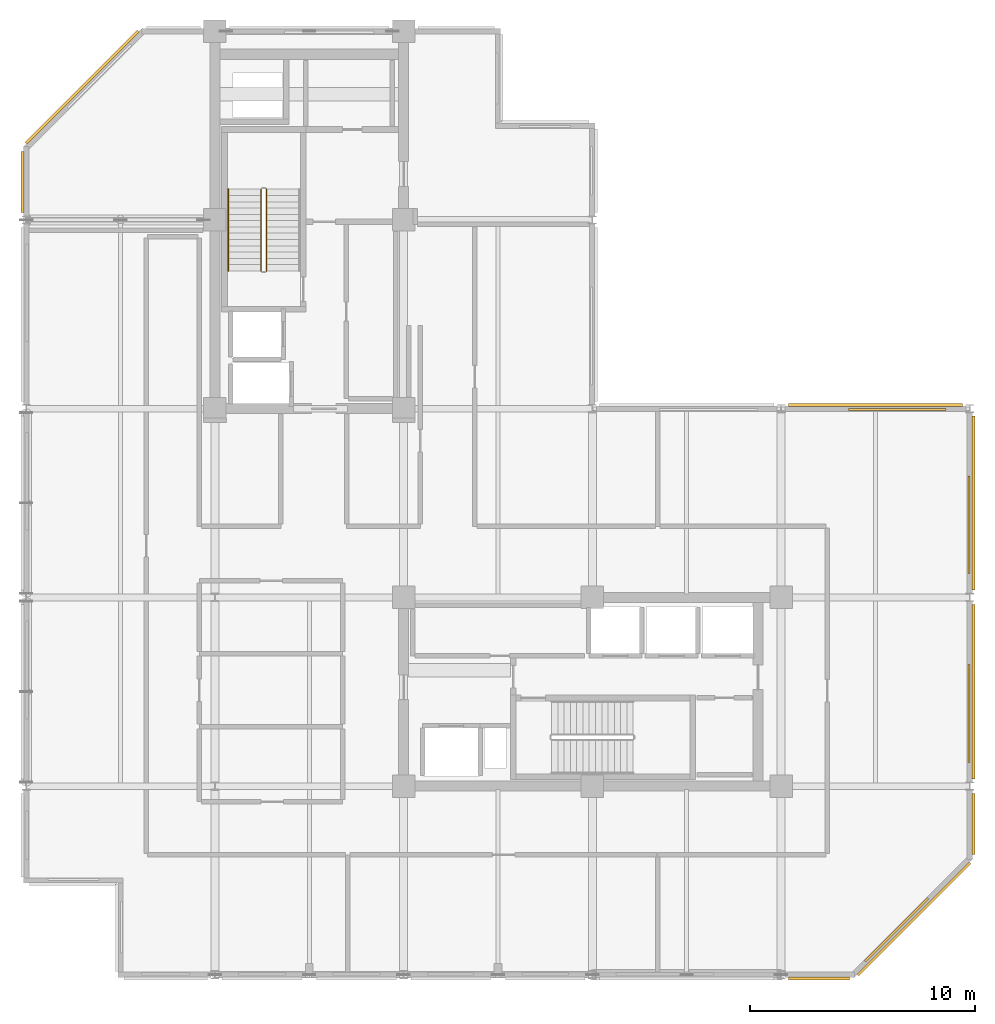
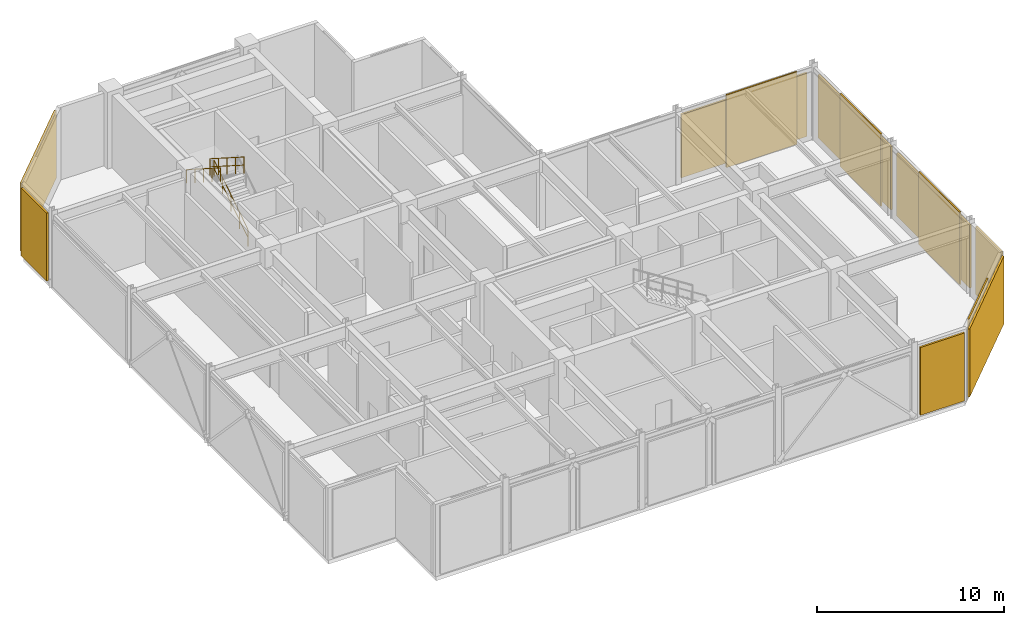
# One storey, part 9 of 10: 8 shading devices, 4 coverings, 3 railings.
"""IFC4 building model written with IfcOpenShell, lengths in metres."""

from ifc_helpers import new_model, si_unit, direction, frame, origin, origin_2d, place, context, subcontext, project, spatial, rectangle, circle, extrude, material, layer, layer_set, type_object, element, save


model = new_model("IFC4")

# Units and contexts
model_context = context("Model", 3, precision=1e-05, world=origin(), true_north=direction((0.0, 1.0)))
body_context = subcontext(model_context, "Body", "Model", "MODEL_VIEW")
ifc_project = project(units=[si_unit("LENGTHUNIT", "METRE"), si_unit("AREAUNIT", "SQUARE_METRE"), si_unit("VOLUMEUNIT", "CUBIC_METRE"), si_unit("PLANEANGLEUNIT", "RADIAN"), si_unit("MASSUNIT", "GRAM", prefix="KILO")], contexts=[model_context])

# Site, building, storey
site_placement = place(None, origin())
site = spatial("IfcSite", under=ifc_project, at=site_placement, CompositionType="ELEMENT")
building_placement = place(site_placement, origin())
building = spatial("IfcBuilding", under=site, at=building_placement, Name="Nerrivon Quay Data Exchange", CompositionType="ELEMENT")
storey_placement = place(building_placement, frame((0.0, 0.0, 245.199951171875)))
storey = spatial("IfcBuildingStorey", under=building, at=storey_placement, Name="L58", CompositionType="ELEMENT", Elevation=245.199951171875)

# Coverings
ifc_material_1 = material(Name="Architectural terracotta ceramic", Category="masonry")
ifc_layer_1 = layer(ifc_material_1, 0.090087890625)
ifc_layer_set_1 = layer_set([ifc_layer_1], Name="Architectural terracotta ceramic")
covering_type = type_object("IfcCoveringType", Name="COV-SCR-TERR", PredefinedType="CLADDING", material=ifc_layer_set_1)
covering_placement = place(storey_placement, frame((38.744140625, 2.0078125, 0.0), z_axis=(0.0, 0.0, 1.0), x_axis=(-0.707106781187, -0.707106781187, 0.0)))
element("IfcCovering", 1, at=covering_placement, inside=storey, type_object=covering_type, Name="L58 Perforated Terracotta SOLAR SCREEN Cassette", PredefinedType="CLADDING", context=body_context, shape_type="SweptSolid", body=[
    extrude(rectangle(XDim=3.970947265625, YDim=0.090087890625, at=origin_2d()), origin(), (0.0, 0.0, 1.0), 4.72509765625),
])
for number, where, z_axis, x_axis, name in (
    (2, (38.76611328125, 25.155029296875, 0.0), (0.0, 0.0, 1.0), (1.0, 0.0, 0.0), "L58 Perforated Terracotta SOLAR SCREEN Cassette"),
    (3, (41.955078125, 20.033935546875, 0.0), (0.0, 0.0, 1.0), (0.0, -1.0, 0.0), "L58 Perforated Terracotta SOLAR SCREEN Cassette"),
    (4, (41.955078125, 11.634033203125, 0.0), (0.0, 0.0, 1.0), (0.0, -1.0, 0.0), "L58 Perforated Terracotta SOLAR SCREEN Cassette"),
):
    element("IfcCovering", number, at=place(storey_placement, frame(where, z_axis=z_axis, x_axis=x_axis)), inside=storey, type_object=covering_type, Name=name, PredefinedType="CLADDING", context=body_context, shape_type="SweptSolid", body=[
        extrude(rectangle(XDim=4.346923828125, YDim=0.090087890625, at=origin_2d()), origin(), (0.0, 0.0, 1.0), 4.72509765625),
    ])

# Railings
ifc_material_2 = material(Name="Steel Grade C350L0 (350 MPa)", Category="steel")
railing_type_1 = type_object("IfcRailingType", Name="RAIL-HAND-HR1", PredefinedType="HANDRAIL", material=ifc_material_2)
railing_1_placement = place(storey_placement, frame((9.0, 34.969970703125, 2.6787109375)))
element("IfcRailing", 5, at=railing_1_placement, inside=storey, type_object=railing_type_1, Name="L58 ST01 stair handrail 2", PredefinedType="HANDRAIL", context=body_context, shape_type="SweptSolid", body=[
    extrude(circle(Radius=0.02392578125, at=origin_2d()), frame((0.0, 0.0, 0.8759765625), z_axis=(0.0, -0.843137146238, 0.537698570422), x_axis=(1.0, 0.0, 0.0)), (0.0, 0.0, 1.0), 4.317138671875),
    extrude(circle(Radius=0.02099609375, at=origin_2d()), origin(), (0.0, 0.0, 1.0), 0.851806640625),
    extrude(circle(Radius=0.02099609375, at=origin_2d()), frame((0.0, -0.909912109375, 0.580322265625)), (0.0, 0.0, 1.0), 0.851806640625),
    extrude(circle(Radius=0.02099609375, at=origin_2d()), frame((0.0, -1.81982421875, 1.16064453125)), (0.0, 0.0, 1.0), 0.851806640625),
    extrude(circle(Radius=0.02099609375, at=origin_2d()), frame((0.0, -2.72998046875, 1.740966796875)), (0.0, 0.0, 1.0), 0.851806640625),
    extrude(circle(Radius=0.02099609375, at=origin_2d()), frame((0.0, -3.639892578125, 2.3212890625)), (0.0, 0.0, 1.0), 0.851806640625),
])
railing_type_2 = type_object("IfcRailingType", Name="RAIL-STAIR-GR1", PredefinedType="BALUSTRADE", material=ifc_material_2)
railing_2_placement = place(storey_placement, frame((10.699951171875, 31.330078125, 0.1787109375)))
element("IfcRailing", 6, at=railing_2_placement, inside=storey, type_object=railing_type_2, Name="L58 ST01 stair guard 1", PredefinedType="BALUSTRADE", context=body_context, shape_type="SweptSolid", body=[
    extrude(circle(Radius=0.02392578125, at=origin_2d()), frame((0.0, 0.0, 1.076171875), z_axis=(0.0, 0.843137146238, 0.537698570422), x_axis=(-1.0, 0.0, 0.0)), (0.0, 0.0, 1.0), 4.317138671875),
    extrude(circle(Radius=0.02392578125, at=origin_2d()), frame((0.0, 0.0, 0.550048828125), z_axis=(0.0, 0.843137146238, 0.537698570422), x_axis=(-1.0, 0.0, 0.0)), (0.0, 0.0, 1.0), 4.317138671875),
    extrude(circle(Radius=0.02099609375, at=origin_2d()), origin(), (0.0, 0.0, 1.0), 1.052001953125),
    extrude(circle(Radius=0.02099609375, at=origin_2d()), frame((0.0, 0.909912109375, 0.580322265625)), (0.0, 0.0, 1.0), 1.052001953125),
    extrude(circle(Radius=0.02099609375, at=origin_2d()), frame((0.0, 1.81982421875, 1.16064453125)), (0.0, 0.0, 1.0), 1.052001953125),
    extrude(circle(Radius=0.02099609375, at=origin_2d()), frame((0.0, 2.72998046875, 1.740966796875)), (0.0, 0.0, 1.0), 1.052001953125),
    extrude(circle(Radius=0.02099609375, at=origin_2d()), frame((0.0, 3.639892578125, 2.3212890625)), (0.0, 0.0, 1.0), 1.052001953125),
])
railing_3_placement = place(storey_placement, frame((10.449951171875, 34.969970703125, 2.6787109375)))
element("IfcRailing", 7, at=railing_3_placement, inside=storey, type_object=railing_type_2, Name="L58 ST01 stair guard 3", PredefinedType="BALUSTRADE", context=body_context, shape_type="SweptSolid", body=[
    extrude(circle(Radius=0.02392578125, at=origin_2d()), frame((0.0, 0.0, 1.076171875), z_axis=(0.0, -0.843137146238, 0.537698570422), x_axis=(1.0, 0.0, 0.0)), (0.0, 0.0, 1.0), 4.317138671875),
    extrude(circle(Radius=0.02392578125, at=origin_2d()), frame((0.0, 0.0, 0.550048828125), z_axis=(0.0, -0.843137146238, 0.537698570422), x_axis=(1.0, 0.0, 0.0)), (0.0, 0.0, 1.0), 4.317138671875),
    extrude(circle(Radius=0.02099609375, at=origin_2d()), origin(), (0.0, 0.0, 1.0), 1.052001953125),
    extrude(circle(Radius=0.02099609375, at=origin_2d()), frame((0.0, -0.909912109375, 0.580322265625)), (0.0, 0.0, 1.0), 1.052001953125),
    extrude(circle(Radius=0.02099609375, at=origin_2d()), frame((0.0, -1.81982421875, 1.16064453125)), (0.0, 0.0, 1.0), 1.052001953125),
    extrude(circle(Radius=0.02099609375, at=origin_2d()), frame((0.0, -2.72998046875, 1.740966796875)), (0.0, 0.0, 1.0), 1.052001953125),
    extrude(circle(Radius=0.02099609375, at=origin_2d()), frame((0.0, -3.639892578125, 2.3212890625)), (0.0, 0.0, 1.0), 1.052001953125),
])

# Shading devices
ifc_material_3 = material(Name="Anodised aluminium 6063-T6", Category="aluminium")
ifc_layer_2 = layer(ifc_material_3, 0.1201171875)
ifc_layer_set_2 = layer_set([ifc_layer_2], Name="Anodised aluminium 6063-T6")
shading_device_type = type_object("IfcShadingDeviceType", Name="SHD-LOUV-LV01", PredefinedType="JALOUSIE", material=ifc_layer_set_2)
shading_device_1_placement = place(storey_placement, frame((39.51318359375, 2.48681640625, 0.14990234375), z_axis=(0.0, 0.0, 1.0), x_axis=(-0.707106781187, -0.707106781187, 0.0)))
element("IfcShadingDevice", 8, at=shading_device_1_placement, inside=storey, type_object=shading_device_type, Name="L58 Acoustic Plant Louvre LV01-1", PredefinedType="JALOUSIE", context=body_context, shape_type="SweptSolid", body=[
    extrude(rectangle(XDim=7.053955078125, YDim=0.1201171875, at=origin_2d()), origin(), (0.0, 0.0, 1.0), 4.425048828125),
])
for number, where, z_axis, x_axis, name in (
    (9, (35.28759765625, -0.159912109375, 0.14990234375), (0.0, 0.0, 1.0), (-1.0, 0.0, 0.0), "L58 Acoustic Plant Louvre LV01-2"),
    (10, (-0.159912109375, 35.28759765625, 0.14990234375), (0.0, 0.0, 1.0), (0.0, 1.0, 0.0), "L58 Acoustic Plant Louvre LV01-15"),
):
    element("IfcShadingDevice", number, at=place(storey_placement, frame(where, z_axis=z_axis, x_axis=x_axis)), inside=storey, type_object=shading_device_type, Name=name, PredefinedType="JALOUSIE", context=body_context, shape_type="SweptSolid", body=[
        extrude(rectangle(XDim=2.72509765625, YDim=0.1201171875, at=origin_2d()), origin(), (0.0, 0.0, 1.0), 4.425048828125),
    ])
shading_device_2_placement = place(storey_placement, frame((2.48681640625, 39.51318359375, 0.14990234375), z_axis=(0.0, 0.0, 1.0), x_axis=(0.707106781187, 0.707106781187, 0.0)))
element("IfcShadingDevice", 11, at=shading_device_2_placement, inside=storey, type_object=shading_device_type, Name="L58 Acoustic Plant Louvre LV01-16", PredefinedType="JALOUSIE", context=body_context, shape_type="SweptSolid", body=[
    extrude(rectangle(XDim=7.053955078125, YDim=0.1201171875, at=origin_2d()), origin(), (0.0, 0.0, 1.0), 4.425048828125),
])
for number, where, z_axis, x_axis, name in (
    (12, (37.800048828125, 25.360107421875, 0.150146484375), (0.0, 0.0, 1.0), (1.0, 0.0, 0.0), "L58 Acoustic Plant Louvre LV01-25"),
    (13, (42.159912109375, 21.0, 0.150146484375), (0.0, 0.0, 1.0), (0.0, -1.0, 0.0), "L58 Acoustic Plant Louvre LV01-26"),
    (14, (42.159912109375, 12.60009765625, 0.150146484375), (0.0, 0.0, 1.0), (0.0, -1.0, 0.0), "L58 Acoustic Plant Louvre LV01-27"),
):
    element("IfcShadingDevice", number, at=place(storey_placement, frame(where, z_axis=z_axis, x_axis=x_axis)), inside=storey, type_object=shading_device_type, Name=name, PredefinedType="JALOUSIE", context=body_context, shape_type="SweptSolid", body=[
        extrude(rectangle(XDim=7.75, YDim=0.1201171875, at=origin_2d()), origin(), (0.0, 0.0, 1.0), 4.125),
    ])
shading_device_3_placement = place(storey_placement, frame((42.159912109375, 6.71240234375, 0.14990234375), z_axis=(0.0, 0.0, 1.0), x_axis=(0.0, -1.0, 0.0)))
element("IfcShadingDevice", 15, at=shading_device_3_placement, inside=storey, type_object=shading_device_type, Name="L58 Acoustic Plant Louvre LV01-28", PredefinedType="JALOUSIE", context=body_context, shape_type="SweptSolid", body=[
    extrude(rectangle(XDim=2.72509765625, YDim=0.1201171875, at=origin_2d()), origin(), (0.0, 0.0, 1.0), 4.425048828125),
])

save(model, "model.ifc")
